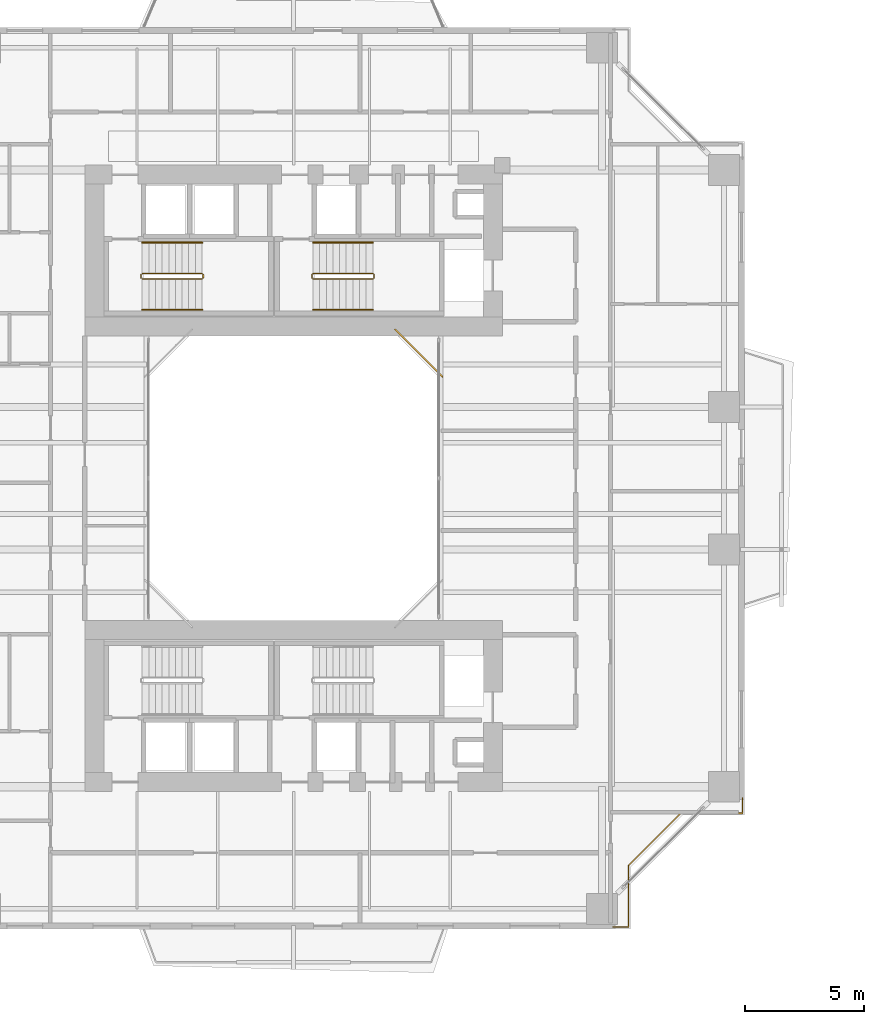
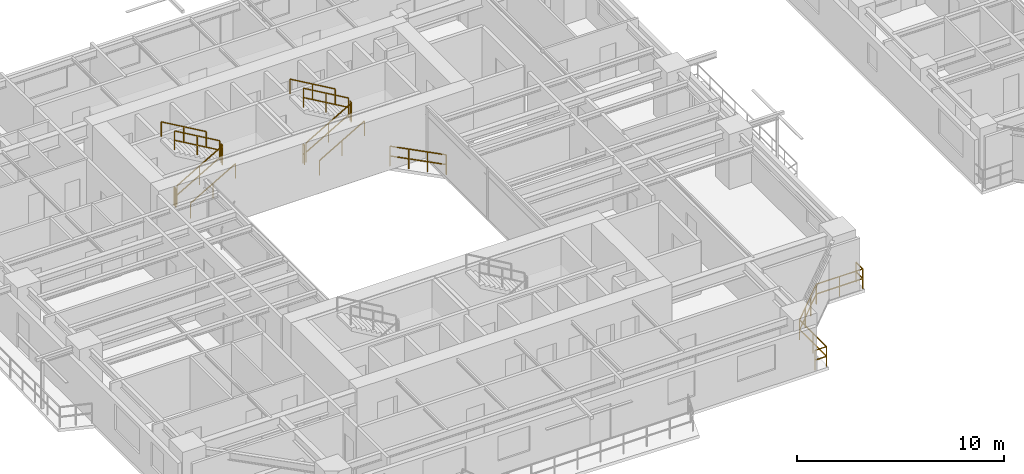
# One storey, part 21 of 24: 14 railings.
"""IFC4 building model written with IfcOpenShell, lengths in metres."""

from ifc_helpers import new_model, si_unit, direction, frame, origin, origin_2d, place, context, subcontext, project, spatial, rectangle, extrude, material, type_object, element, save


model = new_model("IFC4")

# Units and contexts
model_context = context("Model", 3, precision=1e-05, world=origin(), true_north=direction((0.0, 1.0)))
body_context = subcontext(model_context, "Body", "Model", "MODEL_VIEW")
ifc_project = project(units=[si_unit("LENGTHUNIT", "METRE"), si_unit("AREAUNIT", "SQUARE_METRE"), si_unit("VOLUMEUNIT", "CUBIC_METRE"), si_unit("PLANEANGLEUNIT", "RADIAN"), si_unit("MASSUNIT", "GRAM", prefix="KILO"), si_unit("THERMODYNAMICTEMPERATUREUNIT", "KELVIN"), si_unit("POWERUNIT", "WATT")], contexts=[model_context])

# Site, building, storey
site_placement = place(None, origin())
site = spatial("IfcSite", under=ifc_project, at=site_placement, CompositionType="ELEMENT")
building_placement = place(site_placement, origin())
building = spatial("IfcBuilding", under=site, at=building_placement, Name="Qiaomeng Ring Towers", CompositionType="ELEMENT")
storey_placement = place(building_placement, frame((0.0, 0.0, 63.25)))
storey = spatial("IfcBuildingStorey", under=building, at=storey_placement, Name="L17", CompositionType="ELEMENT", Elevation=63.25)

# Railings
ifc_material_1 = material(Name="Low-E pale-green laminated safety glass", Category="glass")
railing_type_1 = type_object("IfcRailingType", Name="ARC-RL-BAL1", PredefinedType="BALUSTRADE", material=ifc_material_1)
railing_1_placement = place(storey_placement, frame((25.280029296875, 27.280029296875, 0.0)))
element("IfcRailing", 1, at=railing_1_placement, inside=storey, type_object=railing_type_1, Name="L17 Balustrade ARC-BAL-WELL1-L17-2", PredefinedType="BALUSTRADE", context=body_context, shape_type="SweptSolid", body=[
    extrude(rectangle(XDim=0.048095703125, YDim=0.048095703125, at=origin_2d()), frame((0.0, 0.0, 1.17578125), z_axis=(-0.707106781187, 0.707106781187, 0.0), x_axis=(-0.707106781187, -0.707106781187, 0.0)), (0.0, 0.0, 1.0), 2.828369140625),
    extrude(rectangle(XDim=0.048095703125, YDim=0.048095703125, at=origin_2d()), frame((0.0, 0.0, 0.60009765625), z_axis=(-0.707106781187, 0.707106781187, 0.0), x_axis=(-0.707106781187, -0.707106781187, 0.0)), (0.0, 0.0, 1.0), 2.828369140625),
    extrude(rectangle(XDim=0.0419921875, YDim=0.0419921875, at=origin_2d()), origin(), (0.0, 0.0, 1.0), 1.15185546875),
    extrude(rectangle(XDim=0.0419921875, YDim=0.0419921875, at=origin_2d()), frame((-0.666748046875, 0.666748046875, 0.0)), (0.0, 0.0, 1.0), 1.15185546875),
    extrude(rectangle(XDim=0.0419921875, YDim=0.0419921875, at=origin_2d()), frame((-1.333251953125, 1.333251953125, 0.0)), (0.0, 0.0, 1.0), 1.15185546875),
    extrude(rectangle(XDim=0.0419921875, YDim=0.0419921875, at=origin_2d()), frame((-2.0, 2.0, 0.0)), (0.0, 0.0, 1.0), 1.15185546875),
])
railing_2_placement = place(storey_placement, frame((32.469970703125, 4.080078125, 0.0)))
element("IfcRailing", 2, at=railing_2_placement, inside=storey, type_object=railing_type_1, Name="L17 Balustrade ARC-BAL-NOTCH1-L17-SE", PredefinedType="BALUSTRADE", context=body_context, shape_type="SweptSolid", body=[
    extrude(rectangle(XDim=0.048095703125, YDim=0.048095703125, at=origin_2d()), frame((0.0, 0.0, 1.17578125), z_axis=(1.0, 0.0, 0.0), x_axis=(0.0, 1.0, 0.0)), (0.0, 0.0, 1.0), 0.650146484375),
    extrude(rectangle(XDim=0.048095703125, YDim=0.048095703125, at=origin_2d()), frame((0.0, 0.0, 0.60009765625), z_axis=(1.0, 0.0, 0.0), x_axis=(0.0, 1.0, 0.0)), (0.0, 0.0, 1.0), 0.650146484375),
    extrude(rectangle(XDim=0.048095703125, YDim=0.048095703125, at=origin_2d()), frame((0.650146484375, 0.0, 1.17578125), z_axis=(0.0, 1.0, 0.0), x_axis=(-1.0, 0.0, 0.0)), (0.0, 0.0, 1.0), 2.599853515625),
    extrude(rectangle(XDim=0.048095703125, YDim=0.048095703125, at=origin_2d()), frame((0.650146484375, 0.0, 0.60009765625), z_axis=(0.0, 1.0, 0.0), x_axis=(-1.0, 0.0, 0.0)), (0.0, 0.0, 1.0), 2.599853515625),
    extrude(rectangle(XDim=0.048095703125, YDim=0.048095703125, at=origin_2d()), frame((0.650146484375, 2.599853515625, 1.17578125), z_axis=(0.707106781187, 0.707106781187, 0.0), x_axis=(-0.707106781187, 0.707106781187, 0.0)), (0.0, 0.0, 1.0), 3.111083984375),
    extrude(rectangle(XDim=0.048095703125, YDim=0.048095703125, at=origin_2d()), frame((0.650146484375, 2.599853515625, 0.60009765625), z_axis=(0.707106781187, 0.707106781187, 0.0), x_axis=(-0.707106781187, 0.707106781187, 0.0)), (0.0, 0.0, 1.0), 3.111083984375),
    extrude(rectangle(XDim=0.048095703125, YDim=0.048095703125, at=origin_2d()), frame((2.85009765625, 4.7998046875, 1.17578125), z_axis=(1.0, 0.0, 0.0), x_axis=(0.0, 1.0, 0.0)), (0.0, 0.0, 1.0), 2.599853515625),
    extrude(rectangle(XDim=0.048095703125, YDim=0.048095703125, at=origin_2d()), frame((2.85009765625, 4.7998046875, 0.60009765625), z_axis=(1.0, 0.0, 0.0), x_axis=(0.0, 1.0, 0.0)), (0.0, 0.0, 1.0), 2.599853515625),
    extrude(rectangle(XDim=0.048095703125, YDim=0.048095703125, at=origin_2d()), frame((5.449951171875, 4.7998046875, 1.17578125), z_axis=(0.0, 1.0, 0.0), x_axis=(-1.0, 0.0, 0.0)), (0.0, 0.0, 1.0), 0.650146484375),
    extrude(rectangle(XDim=0.048095703125, YDim=0.048095703125, at=origin_2d()), frame((5.449951171875, 4.7998046875, 0.60009765625), z_axis=(0.0, 1.0, 0.0), x_axis=(-1.0, 0.0, 0.0)), (0.0, 0.0, 1.0), 0.650146484375),
    extrude(rectangle(XDim=0.0419921875, YDim=0.0419921875, at=origin_2d()), origin(), (0.0, 0.0, 1.0), 1.15185546875),
    extrude(rectangle(XDim=0.0419921875, YDim=0.0419921875, at=origin_2d()), frame((0.650146484375, 0.0, 0.0)), (0.0, 0.0, 1.0), 1.15185546875),
    extrude(rectangle(XDim=0.0419921875, YDim=0.0419921875, at=origin_2d()), frame((0.650146484375, 1.2998046875, 0.0)), (0.0, 0.0, 1.0), 1.15185546875),
    extrude(rectangle(XDim=0.0419921875, YDim=0.0419921875, at=origin_2d()), frame((0.650146484375, 2.599853515625, 0.0)), (0.0, 0.0, 1.0), 1.15185546875),
    extrude(rectangle(XDim=0.0419921875, YDim=0.0419921875, at=origin_2d()), frame((1.383544921875, 3.333251953125, 0.0)), (0.0, 0.0, 1.0), 1.15185546875),
    extrude(rectangle(XDim=0.0419921875, YDim=0.0419921875, at=origin_2d()), frame((2.11669921875, 4.06640625, 0.0)), (0.0, 0.0, 1.0), 1.15185546875),
    extrude(rectangle(XDim=0.0419921875, YDim=0.0419921875, at=origin_2d()), frame((2.85009765625, 4.7998046875, 0.0)), (0.0, 0.0, 1.0), 1.15185546875),
    extrude(rectangle(XDim=0.0419921875, YDim=0.0419921875, at=origin_2d()), frame((4.14990234375, 4.7998046875, 0.0)), (0.0, 0.0, 1.0), 1.15185546875),
    extrude(rectangle(XDim=0.0419921875, YDim=0.0419921875, at=origin_2d()), frame((5.449951171875, 4.7998046875, 0.0)), (0.0, 0.0, 1.0), 1.15185546875),
    extrude(rectangle(XDim=0.0419921875, YDim=0.0419921875, at=origin_2d()), frame((5.449951171875, 5.449951171875, 0.0)), (0.0, 0.0, 1.0), 1.15185546875),
])
ifc_material_2 = material(Name="Galvanised steel", Category="steel")
railing_type_2 = type_object("IfcRailingType", Name="ARC-RL-GUARD", PredefinedType="GUARDRAIL", material=ifc_material_2)
railing_3_placement = place(storey_placement, frame((12.6201171875, 31.39990234375, 0.16259765625)))
element("IfcRailing", 3, at=railing_3_placement, inside=storey, type_object=railing_type_2, Name="L17 ST1 stair guard 1", PredefinedType="GUARDRAIL", context=body_context, shape_type="SweptSolid", body=[
    extrude(rectangle(XDim=0.048095703125, YDim=0.048095703125, at=origin_2d()), frame((0.0, 0.0, 1.1259765625), z_axis=(0.864892226395, 0.0, 0.501957604506), x_axis=(0.0, 1.0, 0.0)), (0.0, 0.0, 1.0), 2.913330078125),
    extrude(rectangle(XDim=0.048095703125, YDim=0.048095703125, at=origin_2d()), frame((0.0, 0.0, 0.574951171875), z_axis=(0.864892226395, 0.0, 0.501957604506), x_axis=(0.0, 1.0, 0.0)), (0.0, 0.0, 1.0), 2.913330078125),
    extrude(rectangle(XDim=0.0419921875, YDim=0.0419921875, at=origin_2d()), origin(), (0.0, 0.0, 1.0), 1.101806640625),
    extrude(rectangle(XDim=0.0419921875, YDim=0.0419921875, at=origin_2d()), frame((1.259765625, 0.0, 0.731201171875)), (0.0, 0.0, 1.0), 1.101806640625),
    extrude(rectangle(XDim=0.0419921875, YDim=0.0419921875, at=origin_2d()), frame((2.519775390625, 0.0, 1.46240234375)), (0.0, 0.0, 1.0), 1.101806640625),
])
railing_4_placement = place(storey_placement, frame((15.18994140625, 31.449951171875, 1.625)))
element("IfcRailing", 4, at=railing_4_placement, inside=storey, type_object=railing_type_2, Name="L17 ST1 stair guard 2", PredefinedType="GUARDRAIL", context=body_context, shape_type="SweptSolid", body=[
    extrude(rectangle(XDim=0.048095703125, YDim=0.048095703125, at=origin_2d()), frame((0.0, 0.0, 1.1259765625), z_axis=(0.0, 1.0, 0.0), x_axis=(-1.0, 0.0, 0.0)), (0.0, 0.0, 1.0), 0.14013671875),
    extrude(rectangle(XDim=0.048095703125, YDim=0.048095703125, at=origin_2d()), frame((0.0, 0.0, 0.574951171875), z_axis=(0.0, 1.0, 0.0), x_axis=(-1.0, 0.0, 0.0)), (0.0, 0.0, 1.0), 0.14013671875),
    extrude(rectangle(XDim=0.0419921875, YDim=0.0419921875, at=origin_2d()), origin(), (0.0, 0.0, 1.0), 1.101806640625),
    extrude(rectangle(XDim=0.0419921875, YDim=0.0419921875, at=origin_2d()), frame((0.0, 0.14013671875, 0.0)), (0.0, 0.0, 1.0), 1.101806640625),
])
railing_5_placement = place(storey_placement, frame((15.139892578125, 31.639892578125, 1.78759765625)))
element("IfcRailing", 5, at=railing_5_placement, inside=storey, type_object=railing_type_2, Name="L17 ST1 stair guard 3", PredefinedType="GUARDRAIL", context=body_context, shape_type="SweptSolid", body=[
    extrude(rectangle(XDim=0.048095703125, YDim=0.048095703125, at=origin_2d()), frame((0.0, 0.0, 1.1259765625), z_axis=(-0.864892226395, 0.0, 0.501957604506), x_axis=(0.0, -1.0, 0.0)), (0.0, 0.0, 1.0), 2.913330078125),
    extrude(rectangle(XDim=0.048095703125, YDim=0.048095703125, at=origin_2d()), frame((0.0, 0.0, 0.574951171875), z_axis=(-0.864892226395, 0.0, 0.501957604506), x_axis=(0.0, -1.0, 0.0)), (0.0, 0.0, 1.0), 2.913330078125),
    extrude(rectangle(XDim=0.0419921875, YDim=0.0419921875, at=origin_2d()), origin(), (0.0, 0.0, 1.0), 1.101806640625),
    extrude(rectangle(XDim=0.0419921875, YDim=0.0419921875, at=origin_2d()), frame((-1.259765625, 0.0, 0.731201171875)), (0.0, 0.0, 1.0), 1.101806640625),
    extrude(rectangle(XDim=0.0419921875, YDim=0.0419921875, at=origin_2d()), frame((-2.519775390625, 0.0, 1.46240234375)), (0.0, 0.0, 1.0), 1.101806640625),
])
railing_6_placement = place(storey_placement, frame((12.570068359375, 31.449951171875, 0.0)))
element("IfcRailing", 6, at=railing_6_placement, inside=storey, type_object=railing_type_2, Name="L17 ST1 stair guard 4", PredefinedType="GUARDRAIL", context=body_context, shape_type="SweptSolid", body=[
    extrude(rectangle(XDim=0.048095703125, YDim=0.048095703125, at=origin_2d()), frame((0.0, 0.0, 1.1259765625), z_axis=(0.0, 1.0, 0.0), x_axis=(-1.0, 0.0, 0.0)), (0.0, 0.0, 1.0), 0.14013671875),
    extrude(rectangle(XDim=0.048095703125, YDim=0.048095703125, at=origin_2d()), frame((0.0, 0.0, 0.574951171875), z_axis=(0.0, 1.0, 0.0), x_axis=(-1.0, 0.0, 0.0)), (0.0, 0.0, 1.0), 0.14013671875),
    extrude(rectangle(XDim=0.0419921875, YDim=0.0419921875, at=origin_2d()), origin(), (0.0, 0.0, 1.0), 1.101806640625),
    extrude(rectangle(XDim=0.0419921875, YDim=0.0419921875, at=origin_2d()), frame((0.0, 0.14013671875, 0.0)), (0.0, 0.0, 1.0), 1.101806640625),
])
railing_7_placement = place(storey_placement, frame((19.820068359375, 31.39990234375, 0.16259765625)))
element("IfcRailing", 7, at=railing_7_placement, inside=storey, type_object=railing_type_2, Name="L17 ST2 stair guard 1", PredefinedType="GUARDRAIL", context=body_context, shape_type="SweptSolid", body=[
    extrude(rectangle(XDim=0.048095703125, YDim=0.048095703125, at=origin_2d()), frame((0.0, 0.0, 1.1259765625), z_axis=(0.864913338283, 0.0, 0.50192122615), x_axis=(0.0, 1.0, 0.0)), (0.0, 0.0, 1.0), 2.91357421875),
    extrude(rectangle(XDim=0.048095703125, YDim=0.048095703125, at=origin_2d()), frame((0.0, 0.0, 0.574951171875), z_axis=(0.864913338283, 0.0, 0.50192122615), x_axis=(0.0, 1.0, 0.0)), (0.0, 0.0, 1.0), 2.91357421875),
    extrude(rectangle(XDim=0.0419921875, YDim=0.0419921875, at=origin_2d()), origin(), (0.0, 0.0, 1.0), 1.101806640625),
    extrude(rectangle(XDim=0.0419921875, YDim=0.0419921875, at=origin_2d()), frame((1.260009765625, 0.0, 0.731201171875)), (0.0, 0.0, 1.0), 1.101806640625),
    extrude(rectangle(XDim=0.0419921875, YDim=0.0419921875, at=origin_2d()), frame((2.52001953125, 0.0, 1.46240234375)), (0.0, 0.0, 1.0), 1.101806640625),
])
railing_8_placement = place(storey_placement, frame((22.389892578125, 31.449951171875, 1.625)))
element("IfcRailing", 8, at=railing_8_placement, inside=storey, type_object=railing_type_2, Name="L17 ST2 stair guard 2", PredefinedType="GUARDRAIL", context=body_context, shape_type="SweptSolid", body=[
    extrude(rectangle(XDim=0.048095703125, YDim=0.048095703125, at=origin_2d()), frame((0.0, 0.0, 1.1259765625), z_axis=(0.0, 1.0, 0.0), x_axis=(-1.0, 0.0, 0.0)), (0.0, 0.0, 1.0), 0.14013671875),
    extrude(rectangle(XDim=0.048095703125, YDim=0.048095703125, at=origin_2d()), frame((0.0, 0.0, 0.574951171875), z_axis=(0.0, 1.0, 0.0), x_axis=(-1.0, 0.0, 0.0)), (0.0, 0.0, 1.0), 0.14013671875),
    extrude(rectangle(XDim=0.0419921875, YDim=0.0419921875, at=origin_2d()), origin(), (0.0, 0.0, 1.0), 1.101806640625),
    extrude(rectangle(XDim=0.0419921875, YDim=0.0419921875, at=origin_2d()), frame((0.0, 0.14013671875, 0.0)), (0.0, 0.0, 1.0), 1.101806640625),
])
railing_9_placement = place(storey_placement, frame((22.340087890625, 31.639892578125, 1.78759765625)))
element("IfcRailing", 9, at=railing_9_placement, inside=storey, type_object=railing_type_2, Name="L17 ST2 stair guard 3", PredefinedType="GUARDRAIL", context=body_context, shape_type="SweptSolid", body=[
    extrude(rectangle(XDim=0.048095703125, YDim=0.048095703125, at=origin_2d()), frame((0.0, 0.0, 1.1259765625), z_axis=(-0.864913338283, 0.0, 0.50192122615), x_axis=(0.0, -1.0, 0.0)), (0.0, 0.0, 1.0), 2.91357421875),
    extrude(rectangle(XDim=0.048095703125, YDim=0.048095703125, at=origin_2d()), frame((0.0, 0.0, 0.574951171875), z_axis=(-0.864913338283, 0.0, 0.50192122615), x_axis=(0.0, -1.0, 0.0)), (0.0, 0.0, 1.0), 2.91357421875),
    extrude(rectangle(XDim=0.0419921875, YDim=0.0419921875, at=origin_2d()), origin(), (0.0, 0.0, 1.0), 1.101806640625),
    extrude(rectangle(XDim=0.0419921875, YDim=0.0419921875, at=origin_2d()), frame((-1.260009765625, 0.0, 0.731201171875)), (0.0, 0.0, 1.0), 1.101806640625),
    extrude(rectangle(XDim=0.0419921875, YDim=0.0419921875, at=origin_2d()), frame((-2.52001953125, 0.0, 1.46240234375)), (0.0, 0.0, 1.0), 1.101806640625),
])
railing_10_placement = place(storey_placement, frame((19.77001953125, 31.449951171875, 0.0)))
element("IfcRailing", 10, at=railing_10_placement, inside=storey, type_object=railing_type_2, Name="L17 ST2 stair guard 4", PredefinedType="GUARDRAIL", context=body_context, shape_type="SweptSolid", body=[
    extrude(rectangle(XDim=0.048095703125, YDim=0.048095703125, at=origin_2d()), frame((0.0, 0.0, 1.1259765625), z_axis=(0.0, 1.0, 0.0), x_axis=(-1.0, 0.0, 0.0)), (0.0, 0.0, 1.0), 0.14013671875),
    extrude(rectangle(XDim=0.048095703125, YDim=0.048095703125, at=origin_2d()), frame((0.0, 0.0, 0.574951171875), z_axis=(0.0, 1.0, 0.0), x_axis=(-1.0, 0.0, 0.0)), (0.0, 0.0, 1.0), 0.14013671875),
    extrude(rectangle(XDim=0.0419921875, YDim=0.0419921875, at=origin_2d()), origin(), (0.0, 0.0, 1.0), 1.101806640625),
    extrude(rectangle(XDim=0.0419921875, YDim=0.0419921875, at=origin_2d()), frame((0.0, 0.14013671875, 0.0)), (0.0, 0.0, 1.0), 1.101806640625),
])
ifc_material_3 = material(Name="Stainless steel 316", Category="steel")
railing_type_3 = type_object("IfcRailingType", Name="ARC-RL-HAND", PredefinedType="HANDRAIL", material=ifc_material_3)
railing_11_placement = place(storey_placement, frame((12.6201171875, 30.10009765625, 0.16259765625)))
element("IfcRailing", 11, at=railing_11_placement, inside=storey, type_object=railing_type_3, Name="L17 ST1 stair handrail 1", PredefinedType="HANDRAIL", context=body_context, shape_type="SweptSolid", body=[
    extrude(rectangle(XDim=0.048095703125, YDim=0.048095703125, at=origin_2d()), frame((0.0, 0.0, 0.8759765625), z_axis=(0.864892226395, 0.0, 0.501957604506), x_axis=(0.0, 1.0, 0.0)), (0.0, 0.0, 1.0), 2.913330078125),
    extrude(rectangle(XDim=0.0419921875, YDim=0.0419921875, at=origin_2d()), origin(), (0.0, 0.0, 1.0), 0.851806640625),
    extrude(rectangle(XDim=0.0419921875, YDim=0.0419921875, at=origin_2d()), frame((1.259765625, 0.0, 0.731201171875)), (0.0, 0.0, 1.0), 0.851806640625),
    extrude(rectangle(XDim=0.0419921875, YDim=0.0419921875, at=origin_2d()), frame((2.519775390625, 0.0, 1.46240234375)), (0.0, 0.0, 1.0), 0.851806640625),
])
railing_12_placement = place(storey_placement, frame((15.139892578125, 32.93994140625, 1.78759765625)))
element("IfcRailing", 12, at=railing_12_placement, inside=storey, type_object=railing_type_3, Name="L17 ST1 stair handrail 2", PredefinedType="HANDRAIL", context=body_context, shape_type="SweptSolid", body=[
    extrude(rectangle(XDim=0.048095703125, YDim=0.048095703125, at=origin_2d()), frame((0.0, 0.0, 0.8759765625), z_axis=(-0.864892226395, 0.0, 0.501957604506), x_axis=(0.0, -1.0, 0.0)), (0.0, 0.0, 1.0), 2.913330078125),
    extrude(rectangle(XDim=0.0419921875, YDim=0.0419921875, at=origin_2d()), origin(), (0.0, 0.0, 1.0), 0.851806640625),
    extrude(rectangle(XDim=0.0419921875, YDim=0.0419921875, at=origin_2d()), frame((-1.259765625, 0.0, 0.731201171875)), (0.0, 0.0, 1.0), 0.851806640625),
    extrude(rectangle(XDim=0.0419921875, YDim=0.0419921875, at=origin_2d()), frame((-2.519775390625, 0.0, 1.46240234375)), (0.0, 0.0, 1.0), 0.851806640625),
])
railing_13_placement = place(storey_placement, frame((19.820068359375, 30.10009765625, 0.16259765625)))
element("IfcRailing", 13, at=railing_13_placement, inside=storey, type_object=railing_type_3, Name="L17 ST2 stair handrail 1", PredefinedType="HANDRAIL", context=body_context, shape_type="SweptSolid", body=[
    extrude(rectangle(XDim=0.048095703125, YDim=0.048095703125, at=origin_2d()), frame((0.0, 0.0, 0.8759765625), z_axis=(0.864913338283, 0.0, 0.50192122615), x_axis=(0.0, 1.0, 0.0)), (0.0, 0.0, 1.0), 2.91357421875),
    extrude(rectangle(XDim=0.0419921875, YDim=0.0419921875, at=origin_2d()), origin(), (0.0, 0.0, 1.0), 0.851806640625),
    extrude(rectangle(XDim=0.0419921875, YDim=0.0419921875, at=origin_2d()), frame((1.260009765625, 0.0, 0.731201171875)), (0.0, 0.0, 1.0), 0.851806640625),
    extrude(rectangle(XDim=0.0419921875, YDim=0.0419921875, at=origin_2d()), frame((2.52001953125, 0.0, 1.46240234375)), (0.0, 0.0, 1.0), 0.851806640625),
])
railing_14_placement = place(storey_placement, frame((22.340087890625, 32.93994140625, 1.78759765625)))
element("IfcRailing", 14, at=railing_14_placement, inside=storey, type_object=railing_type_3, Name="L17 ST2 stair handrail 2", PredefinedType="HANDRAIL", context=body_context, shape_type="SweptSolid", body=[
    extrude(rectangle(XDim=0.048095703125, YDim=0.048095703125, at=origin_2d()), frame((0.0, 0.0, 0.8759765625), z_axis=(-0.864913338283, 0.0, 0.50192122615), x_axis=(0.0, -1.0, 0.0)), (0.0, 0.0, 1.0), 2.91357421875),
    extrude(rectangle(XDim=0.0419921875, YDim=0.0419921875, at=origin_2d()), origin(), (0.0, 0.0, 1.0), 0.851806640625),
    extrude(rectangle(XDim=0.0419921875, YDim=0.0419921875, at=origin_2d()), frame((-1.260009765625, 0.0, 0.731201171875)), (0.0, 0.0, 1.0), 0.851806640625),
    extrude(rectangle(XDim=0.0419921875, YDim=0.0419921875, at=origin_2d()), frame((-2.52001953125, 0.0, 1.46240234375)), (0.0, 0.0, 1.0), 0.851806640625),
])

save(model, "model.ifc")
